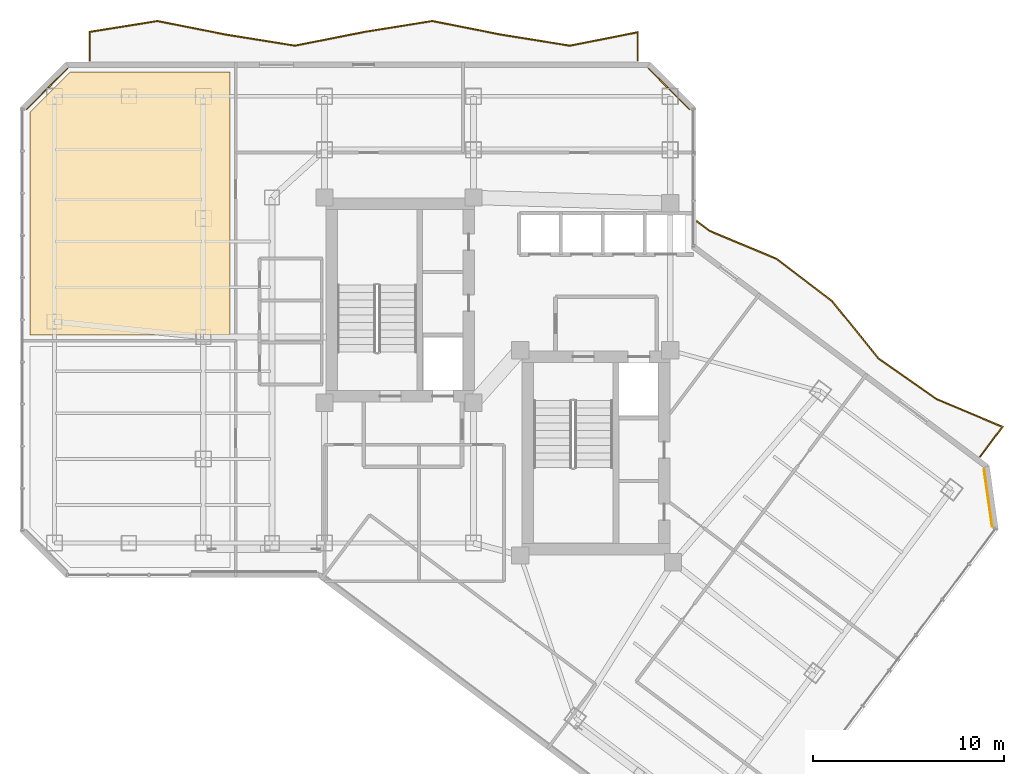
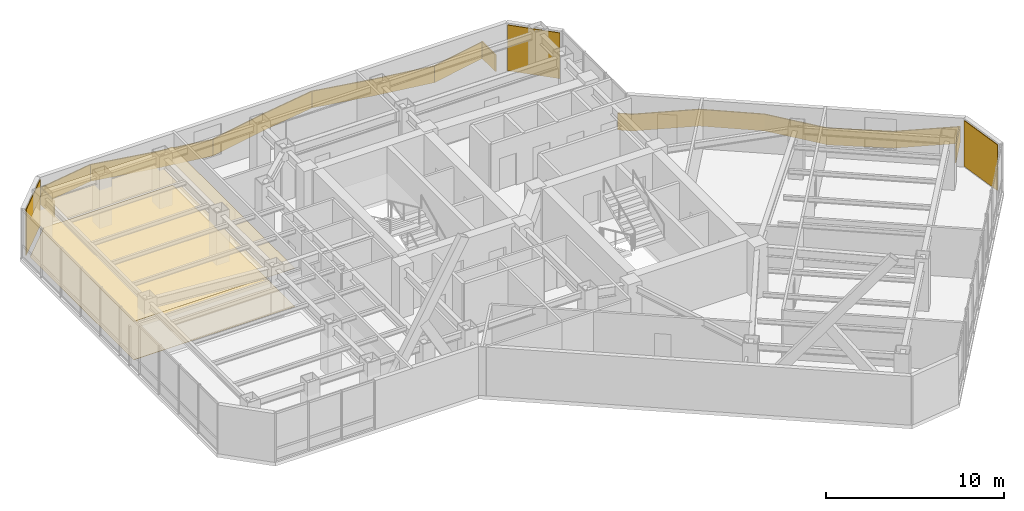
# One storey, part 27 of 27: 5 coverings, 2 railings.
"""IFC4 building model written with IfcOpenShell, lengths in metres."""

from ifc_helpers import new_model, si_unit, direction, frame, origin, origin_2d, place, context, subcontext, project, spatial, polyline, rectangle, outline, extrude, material, layer, layer_set, type_object, element, save


model = new_model("IFC4")

# Units and contexts
model_context = context("Model", 3, precision=1e-05, world=origin(), true_north=direction((0.0, 1.0)))
body_context = subcontext(model_context, "Body", "Model", "MODEL_VIEW")
ifc_project = project(units=[si_unit("LENGTHUNIT", "METRE"), si_unit("AREAUNIT", "SQUARE_METRE"), si_unit("VOLUMEUNIT", "CUBIC_METRE"), si_unit("PLANEANGLEUNIT", "RADIAN"), si_unit("MASSUNIT", "GRAM", prefix="KILO")], contexts=[model_context])

# Site, building, storey
site_placement = place(None, origin())
site = spatial("IfcSite", under=ifc_project, at=site_placement, CompositionType="ELEMENT")
building_placement = place(site_placement, origin())
building = spatial("IfcBuilding", under=site, at=building_placement, Name="Hatsunagi Terrace Concourse", CompositionType="ELEMENT")
storey_placement = place(building_placement, frame((0.0, 0.0, 156.449951171875)))
storey = spatial("IfcBuildingStorey", under=building, at=storey_placement, Name="L41", CompositionType="ELEMENT", Elevation=156.449951171875)

# Covering
ifc_material_1 = material(Name="Acoustic mineral board", Category="gypsum")
ifc_layer_1 = layer(ifc_material_1, 0.02001953125)
ifc_layer_set_1 = layer_set([ifc_layer_1], Name="AcousticMineralCeiling_20")
covering_type_1 = type_object("IfcCoveringType", Name="AcousticMineralCeiling_20", PredefinedType="CEILING", material=ifc_layer_set_1)
covering_1_placement = place(storey_placement, frame((0.0, 0.0, 2.630126953125)))
element("IfcCovering", 1, at=covering_1_placement, inside=storey, type_object=covering_type_1, Name="Suspended Ceiling L41-1", PredefinedType="CEILING", context=body_context, shape_type="SweptSolid", body=[
    extrude(outline(polyline([(10.1298828125, 47.780029296875), (10.1298828125, 36.10009765625), (20.60009765625, 36.10009765625), (20.60009765625, 49.8701171875), (12.219970703125, 49.8701171875), (10.1298828125, 47.780029296875)])), origin(), (0.0, 0.0, 1.0), 0.02001953125),
])

# Railings
ifc_material_2 = material(Name="Laminated Glass and Stainless Steel Guard", Category="steel")
ifc_layer_2 = layer(ifc_material_2, 0.070068359375)
ifc_layer_set_2 = layer_set([ifc_layer_2], Name="BalconyGlassGuardRail_1150")
railing_type = type_object("IfcRailingType", Name="BalconyGlassGuardRail_1150", PredefinedType="BALUSTRADE", material=ifc_layer_set_2)
railing_1_placement = place(storey_placement, origin())
element("IfcRailing", 2, at=railing_1_placement, inside=storey, type_object=railing_type, Name="Engawa Balcony Guard GRD-01 L41-BN-1", PredefinedType="BALUSTRADE", context=body_context, shape_type="SweptSolid", body=[
    extrude(outline(polyline([(13.215087890625, 50.449951171875), (13.284912109375, 50.449951171875), (13.284912109375, 51.9453125), (16.79833984375, 52.509521484375), (20.384765625, 51.798583984375), (24.001708984375, 51.21728515625), (27.615234375, 51.9345703125), (31.1982421875, 52.509521484375), (34.784912109375, 51.798583984375), (38.401611328125, 51.21728515625), (41.9150390625, 51.914306640625), (41.9150390625, 50.449951171875), (41.985107421875, 50.449951171875), (41.985107421875, 51.99951171875), (38.400390625, 51.28857421875), (34.797119140625, 51.867431640625), (31.19970703125, 52.58056640625), (27.602783203125, 52.00341796875), (24.000244140625, 51.28857421875), (20.397216796875, 51.867431640625), (16.799560546875, 52.58056640625), (13.215087890625, 52.0048828125), (13.215087890625, 50.449951171875)])), origin(), (0.0, 0.0, 1.0), 1.150146484375),
])
railing_2_placement = place(storey_placement, origin())
element("IfcRailing", 3, at=railing_2_placement, inside=storey, type_object=railing_type, Name="Engawa Balcony Guard GRD-01 L41-BSE-1", PredefinedType="BALUSTRADE", context=body_context, shape_type="SweptSolid", body=[
    extrude(outline(polyline([(45.0673828125, 42.0908203125), (45.024658203125, 42.03515625), (45.684326171875, 41.528564453125), (49.208251953125, 40.059326171875), (52.12841796875, 37.82373046875), (54.52880859375, 34.853271484375), (57.576904296875, 32.71630859375), (61.0, 31.275146484375), (59.842041015625, 29.73095703125), (59.89794921875, 29.68896484375), (61.10986328125, 31.304931640625), (57.611083984375, 32.77783203125), (54.5771484375, 34.90478515625), (52.177490234375, 37.874267578125), (49.24365234375, 40.12060546875), (45.7197265625, 41.589599609375), (45.0673828125, 42.0908203125)])), origin(), (0.0, 0.0, 1.0), 1.150146484375),
])

# Coverings
ifc_material_3 = material(Name="Hardwood timber", Category="wood")
ifc_layer_3 = layer(ifc_material_3, 0.014892578125)
ifc_layer_set_3 = layer_set([ifc_layer_3], Name="HardwoodTimberFlooring_15")
covering_type_2 = type_object("IfcCoveringType", Name="HardwoodTimberFlooring_15", PredefinedType="FLOORING", material=ifc_layer_set_3)
covering_2_placement = place(storey_placement, origin())
element("IfcCovering", 4, at=covering_2_placement, inside=storey, type_object=covering_type_2, Name="Finished Flooring L41-1", PredefinedType="FLOORING", context=body_context, shape_type="SweptSolid", body=[
    extrude(outline(polyline([(10.1298828125, 47.780029296875), (10.1298828125, 36.10009765625), (20.60009765625, 36.10009765625), (20.60009765625, 49.8701171875), (12.219970703125, 49.8701171875), (10.1298828125, 47.780029296875)])), origin(), (0.0, 0.0, 1.0), 0.01513671875),
])
ifc_material_4 = material(Name="Unglazed Warm Terracotta Rainscreen Tile", Category="masonry")
ifc_layer_4 = layer(ifc_material_4, 0.044921875)
ifc_layer_set_4 = layer_set([ifc_layer_4], Name="TerracottaRainscreenCladding_45")
covering_type_3 = type_object("IfcCoveringType", Name="TerracottaRainscreenCladding_45", PredefinedType="CLADDING", material=ifc_layer_set_4)
for number, where, z_axis, x_axis, name in (
    (5, (60.301025390625, 27.55810546875, 0.10009765625), (0.0, 0.0, 1.0), (0.141250262458, -0.989973920543, 0.0), "Terracotta Rainscreen Cladding L41-02"),
    (6, (11.013916015625, 48.986083984375, 0.10009765625), (0.0, 0.0, 1.0), (0.707106781187, 0.707106781187, 0.0), "Terracotta Rainscreen Cladding L41-10"),
    (7, (43.5859375, 48.986083984375, 0.10009765625), (0.0, 0.0, 1.0), (0.707106781187, -0.707106781187, 0.0), "Terracotta Rainscreen Cladding L41-12"),
):
    element("IfcCovering", number, at=place(storey_placement, frame(where, z_axis=z_axis, x_axis=x_axis)), inside=storey, type_object=covering_type_3, Name=name, PredefinedType="CLADDING", context=body_context, shape_type="SweptSolid", body=[
        extrude(rectangle(XDim=3.0380859375, YDim=0.044921875, at=origin_2d()), origin(), (0.0, 0.0, 1.0), 3.14990234375),
    ])

save(model, "model.ifc")
